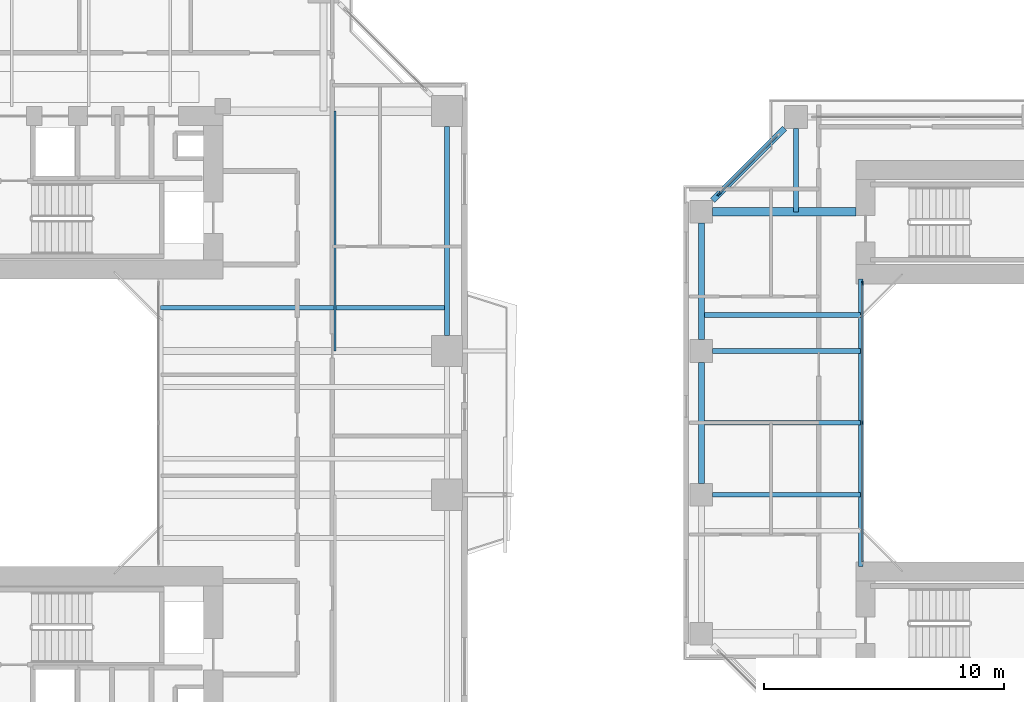
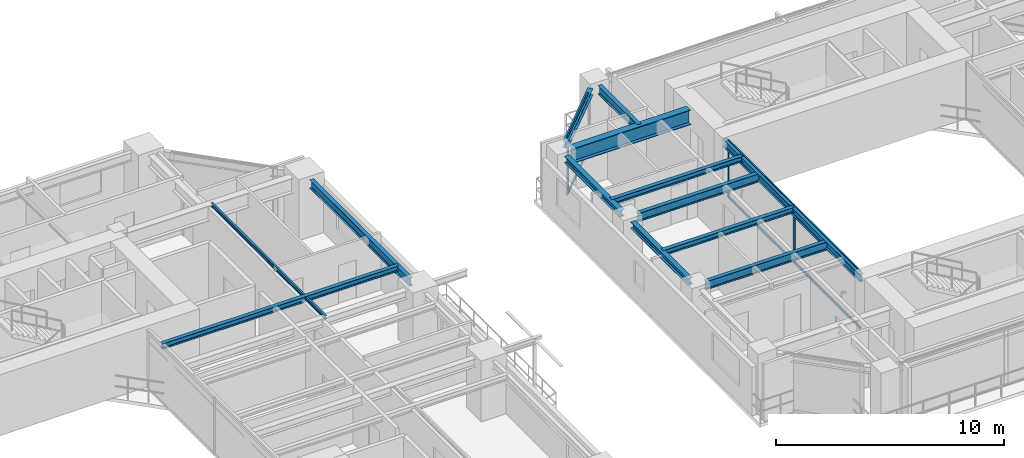
# One storey, part 8 of 24: 13 beams, 9 members, 2 elements without a shape of their own.
"""IFC4 building model written with IfcOpenShell, lengths in metres."""

from ifc_helpers import new_model, si_unit, direction, frame, origin, origin_2d, place, context, subcontext, project, spatial, rectangle, i_section, extrude, source, transform, mapped, material, layer, layer_set, material_profile, profile_set, type_object, element, aggregate, save


model = new_model("IFC4")

# Units and contexts
model_context = context("Model", 3, precision=1e-05, world=origin(), true_north=direction((0.0, 1.0)))
body_context = subcontext(model_context, "Body", "Model", "MODEL_VIEW")
ifc_project = project(units=[si_unit("LENGTHUNIT", "METRE"), si_unit("AREAUNIT", "SQUARE_METRE"), si_unit("VOLUMEUNIT", "CUBIC_METRE"), si_unit("PLANEANGLEUNIT", "RADIAN"), si_unit("MASSUNIT", "GRAM", prefix="KILO"), si_unit("THERMODYNAMICTEMPERATUREUNIT", "KELVIN"), si_unit("POWERUNIT", "WATT")], contexts=[model_context])

# Site, building, storey
site_placement = place(None, origin())
site = spatial("IfcSite", under=ifc_project, at=site_placement, CompositionType="ELEMENT")
building_placement = place(site_placement, origin())
building = spatial("IfcBuilding", under=site, at=building_placement, Name="Qiaomeng Ring Towers", CompositionType="ELEMENT")
storey_placement = place(building_placement, frame((0.0, 0.0, 63.25)))
storey = spatial("IfcBuildingStorey", under=building, at=storey_placement, Name="L17", CompositionType="ELEMENT", Elevation=63.25)

# Beams
ifc_material_1 = material(Name="Steel Q355B", Category="steel")
ifc_material_profile_1 = material_profile(ifc_material_1, i_section(OverallWidth=0.199951171875, OverallDepth=0.449951171875, WebThickness=0.009033203125, FlangeThickness=0.013916015625, FilletRadius=0.01806640625, at=origin_2d()), Name="HN 450x200x9x14")
ifc_profile_set_1 = profile_set([ifc_material_profile_1], Name="Steel Q355B")
beam_type_1 = type_object("IfcBeamType", Name="STR-BM-HN450", PredefinedType="SPANDREL", material=ifc_profile_set_1)
shared_shape_1 = source(origin(), body_context, "Body", "SweptSolid", [
    extrude(i_section(OverallWidth=0.199951171875, OverallDepth=0.449951171875, WebThickness=0.009033203125, FlangeThickness=0.013916015625, FilletRadius=0.01806640625, at=origin_2d()), origin(), (0.0, 0.0, 1.0), 8.7021484375),
])
beam_1_placement = place(storey_placement, frame((37.14990234375, 26.64892578125, 2.844970703125), z_axis=(0.0, 1.0, 0.0), x_axis=(-1.0, 0.0, 0.0)))
element("IfcBeam", 1, at=beam_1_placement, inside=storey, type_object=beam_type_1, Name="L17 beam STR-SP-L17-T1-E3-E4", PredefinedType="SPANDREL", context=body_context, shape_type="MappedRepresentation", body=[
    mapped(shared_shape_1, transform((0.0, 0.0, 0.0), x_axis=(1.0, 0.0, 0.0), y_axis=(0.0, 1.0, 0.0), z_axis=(0.0, 0.0, 1.0), scale=1.0)),
])
ifc_material_profile_2 = material_profile(ifc_material_1, i_section(OverallWidth=0.199951171875, OverallDepth=0.2939453125, WebThickness=0.008056640625, FlangeThickness=0.011962890625, FilletRadius=0.01806640625, at=origin_2d()), Name="HM 294x200x8x12")
ifc_profile_set_2 = profile_set([ifc_material_profile_2], Name="Steel Q355B")
beam_type_2 = type_object("IfcBeamType", Name="STR-BM-HM294", PredefinedType="JOIST", material=ifc_profile_set_2)
shared_shape_2 = source(origin(), body_context, "Body", "SweptSolid", [
    extrude(i_section(OverallWidth=0.199951171875, OverallDepth=0.2939453125, WebThickness=0.008056640625, FlangeThickness=0.011962890625, FilletRadius=0.01806640625, at=origin_2d()), origin(), (0.0, 0.0, 1.0), 11.949951171875),
])
beam_2_placement = place(storey_placement, frame((25.199951171875, 27.800048828125, 2.923095703125), z_axis=(1.0, 0.0, 0.0), x_axis=(0.0, 1.0, 0.0)))
element("IfcBeam", 2, at=beam_2_placement, inside=storey, type_object=beam_type_2, Name="L17 beam STR-JST-L17-T1E-4", PredefinedType="JOIST", context=body_context, shape_type="MappedRepresentation", body=[
    mapped(shared_shape_2, transform((0.0, 0.0, 0.0), x_axis=(1.0, 0.0, 0.0), y_axis=(0.0, 1.0, 0.0), z_axis=(0.0, 0.0, 1.0), scale=1.0)),
])
ifc_material_profile_3 = material_profile(ifc_material_1, i_section(OverallWidth=0.10009765625, OverallDepth=0.199951171875, WebThickness=0.005615234375, FlangeThickness=0.008056640625, FilletRadius=0.010986328125, at=origin_2d()), Name="HN 200x100x5.5x8")
ifc_profile_set_3 = profile_set([ifc_material_profile_3], Name="Steel Q355B")
beam_type_3 = type_object("IfcBeamType", Name="STR-BM-HN200", PredefinedType="JOIST", material=ifc_profile_set_3)
shared_shape_3 = source(origin(), body_context, "Body", "SweptSolid", [
    extrude(i_section(OverallWidth=0.10009765625, OverallDepth=0.199951171875, WebThickness=0.005615234375, FlangeThickness=0.008056640625, FilletRadius=0.010986328125, at=origin_2d()), origin(), (0.0, 0.0, 1.0), 10.0),
])
beam_3_placement = place(storey_placement, frame((32.47509765625, 26.0, 2.969970703125), z_axis=(0.0, 1.0, 0.0), x_axis=(-1.0, 0.0, 0.0)))
element("IfcBeam", 3, at=beam_3_placement, inside=storey, type_object=beam_type_3, Name="L17 beam STR-JST-L17-T1C-EN", PredefinedType="JOIST", context=body_context, shape_type="MappedRepresentation", body=[
    mapped(shared_shape_3, transform((0.0, 0.0, 0.0), x_axis=(1.0, 0.0, 0.0), y_axis=(0.0, 1.0, 0.0), z_axis=(0.0, 0.0, 1.0), scale=1.0)),
])
ifc_material_profile_4 = material_profile(ifc_material_1, i_section(OverallWidth=0.25, OverallDepth=0.340087890625, WebThickness=0.009033203125, FlangeThickness=0.013916015625, FilletRadius=0.02001953125, at=origin_2d()), Name="HM 340x250x9x14")
ifc_profile_set_4 = profile_set([ifc_material_profile_4], Name="Steel Q355B")
beam_type_4 = type_object("IfcBeamType", Name="STR-BM-HM340", PredefinedType="SPANDREL", material=ifc_profile_set_4)
shared_shape_4 = source(origin(), body_context, "Body", "SweptSolid", [
    extrude(i_section(OverallWidth=0.25, OverallDepth=0.340087890625, WebThickness=0.009033203125, FlangeThickness=0.013916015625, FilletRadius=0.02001953125, at=origin_2d()), origin(), (0.0, 0.0, 1.0), 4.244384765625),
])
beam_4_placement = place(storey_placement, frame((51.2255859375, 35.275634765625, 2.89990234375), z_axis=(-0.707106781187, -0.707106781187, 0.0), x_axis=(0.707106781187, -0.707106781187, 0.0)))
element("IfcBeam", 4, at=beam_4_placement, inside=storey, type_object=beam_type_4, Name="L17 beam STR-SP-L17-T2-N1-W4", PredefinedType="SPANDREL", context=body_context, shape_type="MappedRepresentation", body=[
    mapped(shared_shape_4, transform((0.0, 0.0, 0.0), x_axis=(1.0, 0.0, 0.0), y_axis=(0.0, 1.0, 0.0), z_axis=(0.0, 0.0, 1.0), scale=1.0)),
])
shared_shape_5 = source(origin(), body_context, "Body", "SweptSolid", [
    extrude(i_section(OverallWidth=0.25, OverallDepth=0.340087890625, WebThickness=0.009033203125, FlangeThickness=0.013916015625, FilletRadius=0.02001953125, at=origin_2d()), origin(), (0.0, 0.0, 1.0), 4.851806640625),
])
beam_5_placement = place(storey_placement, frame((47.75, 31.325927734375, 2.89990234375), z_axis=(0.0, -1.0, 0.0), x_axis=(1.0, 0.0, 0.0)))
element("IfcBeam", 5, at=beam_5_placement, inside=storey, type_object=beam_type_4, Name="L17 beam STR-SP-L17-T2-W4-W3", PredefinedType="SPANDREL", context=body_context, shape_type="MappedRepresentation", body=[
    mapped(shared_shape_5, transform((0.0, 0.0, 0.0), x_axis=(1.0, 0.0, 0.0), y_axis=(0.0, 1.0, 0.0), z_axis=(0.0, 0.0, 1.0), scale=1.0)),
])
shared_shape_6 = source(origin(), body_context, "Body", "SweptSolid", [
    extrude(i_section(OverallWidth=0.25, OverallDepth=0.340087890625, WebThickness=0.009033203125, FlangeThickness=0.013916015625, FilletRadius=0.02001953125, at=origin_2d()), origin(), (0.0, 0.0, 1.0), 5.0517578125),
])
beam_6_placement = place(storey_placement, frame((47.75, 25.52587890625, 2.89990234375), z_axis=(0.0, -1.0, 0.0), x_axis=(1.0, 0.0, 0.0)))
element("IfcBeam", 6, at=beam_6_placement, inside=storey, type_object=beam_type_4, Name="L17 beam STR-SP-L17-T2-W3-W2", PredefinedType="SPANDREL", context=body_context, shape_type="MappedRepresentation", body=[
    mapped(shared_shape_6, transform((0.0, 0.0, 0.0), x_axis=(1.0, 0.0, 0.0), y_axis=(0.0, 1.0, 0.0), z_axis=(0.0, 0.0, 1.0), scale=1.0)),
])
ifc_material_profile_5 = material_profile(ifc_material_1, i_section(OverallWidth=0.199951171875, OverallDepth=0.39990234375, WebThickness=0.008056640625, FlangeThickness=0.012939453125, FilletRadius=0.01611328125, at=origin_2d()), Name="HN 400x200x8x13")
ifc_profile_set_5 = profile_set([ifc_material_profile_5], Name="Steel Q355B")
beam_type_5 = type_object("IfcBeamType", Name="STR-BM-HN400", PredefinedType="SPANDREL", material=ifc_profile_set_5)
shared_shape_7 = source(origin(), body_context, "Body", "SweptSolid", [
    extrude(i_section(OverallWidth=0.199951171875, OverallDepth=0.39990234375, WebThickness=0.008056640625, FlangeThickness=0.012939453125, FilletRadius=0.01611328125, at=origin_2d()), origin(), (0.0, 0.0, 1.0), 12.0),
])
beam_7_placement = place(storey_placement, frame((54.39990234375, 17.0, 2.8701171875), z_axis=(0.0, 1.0, 0.0), x_axis=(-1.0, 0.0, 0.0)))
element("IfcBeam", 7, at=beam_7_placement, inside=storey, type_object=beam_type_5, Name="L17 beam STR-BM-L17-T2-WELL-W", PredefinedType="SPANDREL", context=body_context, shape_type="MappedRepresentation", body=[
    mapped(shared_shape_7, transform((0.0, 0.0, 0.0), x_axis=(1.0, 0.0, 0.0), y_axis=(0.0, 1.0, 0.0), z_axis=(0.0, 0.0, 1.0), scale=1.0)),
])
ifc_material_2 = material(Name="Steel Q390GJC", Category="steel")
ifc_material_profile_6 = material_profile(ifc_material_2, i_section(OverallWidth=0.35009765625, OverallDepth=0.800048828125, WebThickness=0.01611328125, FlangeThickness=0.028076171875, at=origin_2d()), Name="WH 800x350x16x28")
ifc_profile_set_6 = profile_set([ifc_material_profile_6], Name="Steel Q390GJC")
beam_type_6 = type_object("IfcBeamType", Name="STR-BM-WH800", PredefinedType="BEAM", material=ifc_profile_set_6)
shared_shape_8 = source(origin(), body_context, "Body", "SweptSolid", [
    extrude(i_section(OverallWidth=0.35009765625, OverallDepth=0.800048828125, WebThickness=0.01611328125, FlangeThickness=0.028076171875, at=origin_2d()), origin(), (0.0, 0.0, 1.0), 5.975830078125),
])
beam_8_placement = place(storey_placement, frame((48.22412109375, 31.800048828125, 2.669921875), z_axis=(1.0, 0.0, 0.0), x_axis=(0.0, 1.0, 0.0)))
element("IfcBeam", 8, at=beam_8_placement, inside=storey, type_object=beam_type_6, Name="L17 beam STR-BM-L17-T2-RAD-W4", PredefinedType="BEAM", context=body_context, shape_type="MappedRepresentation", body=[
    mapped(shared_shape_8, transform((0.0, 0.0, 0.0), x_axis=(1.0, 0.0, 0.0), y_axis=(0.0, 1.0, 0.0), z_axis=(0.0, 0.0, 1.0), scale=1.0)),
])
shared_shape_9 = source(origin(), body_context, "Body", "SweptSolid", [
    extrude(i_section(OverallWidth=0.199951171875, OverallDepth=0.449951171875, WebThickness=0.009033203125, FlangeThickness=0.013916015625, FilletRadius=0.01806640625, at=origin_2d()), origin(), (0.0, 0.0, 1.0), 6.17578125),
])
for number, where, z_axis, x_axis, name in (
    (9, (48.22412109375, 20.0, 2.844970703125), (1.0, 0.0, 0.0), (0.0, 1.0, 0.0), "L17 beam STR-BM-L17-T2-RAD-W2"),
    (10, (48.22412109375, 26.0, 2.844970703125), (1.0, 0.0, 0.0), (0.0, 1.0, 0.0), "L17 beam STR-BM-L17-T2-RAD-W3"),
):
    element("IfcBeam", number, at=place(storey_placement, frame(where, z_axis=z_axis, x_axis=x_axis)), inside=storey, type_object=beam_type_1, Name=name, PredefinedType="SPANDREL", context=body_context, shape_type="MappedRepresentation", body=[
        mapped(shared_shape_9, transform((0.0, 0.0, 0.0), x_axis=(1.0, 0.0, 0.0), y_axis=(0.0, 1.0, 0.0), z_axis=(0.0, 0.0, 1.0), scale=1.0)),
    ])
shared_shape_10 = source(origin(), body_context, "Body", "SweptSolid", [
    extrude(i_section(OverallWidth=0.199951171875, OverallDepth=0.449951171875, WebThickness=0.009033203125, FlangeThickness=0.013916015625, FilletRadius=0.01806640625, at=origin_2d()), origin(), (0.0, 0.0, 1.0), 3.475830078125),
])
beam_9_placement = place(storey_placement, frame((51.699951171875, 35.27587890625, 2.844970703125), z_axis=(0.0, -1.0, 0.0), x_axis=(1.0, 0.0, 0.0)))
element("IfcBeam", 11, at=beam_9_placement, inside=storey, type_object=beam_type_1, Name="L17 beam STR-BM-L17-T2-RAD-N1", PredefinedType="SPANDREL", context=body_context, shape_type="MappedRepresentation", body=[
    mapped(shared_shape_10, transform((0.0, 0.0, 0.0), x_axis=(1.0, 0.0, 0.0), y_axis=(0.0, 1.0, 0.0), z_axis=(0.0, 0.0, 1.0), scale=1.0)),
])
shared_shape_11 = source(origin(), body_context, "Body", "SweptSolid", [
    extrude(i_section(OverallWidth=0.199951171875, OverallDepth=0.2939453125, WebThickness=0.008056640625, FlangeThickness=0.011962890625, FilletRadius=0.01806640625, at=origin_2d()), origin(), (0.0, 0.0, 1.0), 6.64990234375),
])
for number, where, z_axis, x_axis, name in (
    (12, (47.75, 23.0, 2.923095703125), (1.0, 0.0, 0.0), (0.0, 1.0, 0.0), "L17 beam STR-JST-L17-T2W-2"),
    (13, (47.75, 27.5, 2.923095703125), (1.0, 0.0, 0.0), (0.0, 1.0, 0.0), "L17 beam STR-JST-L17-T2W-3"),
):
    element("IfcBeam", number, at=place(storey_placement, frame(where, z_axis=z_axis, x_axis=x_axis)), inside=storey, type_object=beam_type_2, Name=name, PredefinedType="JOIST", context=body_context, shape_type="MappedRepresentation", body=[
        mapped(shared_shape_11, transform((0.0, 0.0, 0.0), x_axis=(1.0, 0.0, 0.0), y_axis=(0.0, 1.0, 0.0), z_axis=(0.0, 0.0, 1.0), scale=1.0)),
    ])

# Curtain wall, members
ifc_material_3 = material(Name="Fluorocarbon dark-grey aluminium", Category="aluminium")
ifc_layer_1 = layer(ifc_material_3, 0.139892578125, Name="Fluorocarbon dark-grey aluminium")
ifc_layer_set_1 = layer_set([ifc_layer_1], Name="Fluorocarbon dark-grey aluminium")
curtain_wall_type_1 = type_object("IfcCurtainWallType", Name="ARC-CW-4", PredefinedType="NOTDEFINED", material=ifc_layer_set_1)
curtain_wall_1_placement = place(storey_placement, origin())
curtain_wall_1 = element("IfcCurtainWall", 14, at=curtain_wall_1_placement, inside=storey, type_object=curtain_wall_type_1, Name="L17 Curtain Wall CW4", PredefinedType="NOTDEFINED")
ifc_material_profile_7 = material_profile(ifc_material_3, rectangle(XDim=0.06494140625, YDim=0.159912109375, at=origin_2d()), Name="ALU MULL 65x160")
ifc_profile_set_7 = profile_set([ifc_material_profile_7], Name="Fluorocarbon dark-grey aluminium")
member_type_1 = type_object("IfcMemberType", Name="ARC-CWM-140", PredefinedType="MULLION", material=ifc_profile_set_7)
shared_shape_12 = source(origin(), body_context, "Body", "SweptSolid", [
    extrude(rectangle(XDim=0.06494140625, YDim=0.159912109375, at=origin_2d()), origin(), (0.0, 0.0, 1.0), 3.070068359375),
])
member_1_placement = place(storey_placement, frame((54.47998046875, 23.0, 0.0), z_axis=(0.0, 0.0, 1.0), x_axis=(-1.0, 0.0, 0.0)))
member_1 = element("IfcMember", 15, at=member_1_placement, type_object=member_type_1, Name="CW4 mullion 2", PredefinedType="MULLION", context=body_context, shape_type="MappedRepresentation", body=[
    mapped(shared_shape_12, transform((0.0, 0.0, 0.0), x_axis=(1.0, 0.0, 0.0), y_axis=(0.0, 1.0, 0.0), z_axis=(0.0, 0.0, 1.0), scale=1.0)),
])
member_2_placement = place(storey_placement, frame((54.47998046875, 28.8173828125, 0.0), z_axis=(0.0, 0.0, 1.0), x_axis=(-1.0, 0.0, 0.0)))
member_2 = element("IfcMember", 16, at=member_2_placement, type_object=member_type_1, Name="CW4 mullion 3", PredefinedType="MULLION", context=body_context, shape_type="MappedRepresentation", body=[
    mapped(shared_shape_12, transform((0.0, 0.0, 0.0), x_axis=(1.0, 0.0, 0.0), y_axis=(0.0, 1.0, 0.0), z_axis=(0.0, 0.0, 1.0), scale=1.0)),
])
ifc_material_profile_8 = material_profile(ifc_material_3, rectangle(XDim=0.06494140625, YDim=0.1298828125, at=origin_2d()), Name="ALU TRAN 65x130")
ifc_profile_set_8 = profile_set([ifc_material_profile_8], Name="Fluorocarbon dark-grey aluminium")
member_type_2 = type_object("IfcMemberType", Name="ARC-CWT-120", PredefinedType="USERDEFINED", material=ifc_profile_set_8)
shared_shape_13 = source(origin(), body_context, "Body", "SweptSolid", [
    extrude(rectangle(XDim=0.06494140625, YDim=0.1298828125, at=origin_2d()), origin(), (0.0, 0.0, 1.0), 5.75244140625),
])
member_3_placement = place(storey_placement, frame((54.47998046875, 17.215087890625, 0.032470703125), z_axis=(0.0, 1.0, 0.0), x_axis=(-1.0, 0.0, 0.0)))
member_3 = element("IfcMember", 17, at=member_3_placement, type_object=member_type_2, Name="CW4 transom 1.1", ObjectType="TRANSOM", PredefinedType="USERDEFINED", context=body_context, shape_type="MappedRepresentation", body=[
    mapped(shared_shape_13, transform((0.0, 0.0, 0.0), x_axis=(1.0, 0.0, 0.0), y_axis=(0.0, 1.0, 0.0), z_axis=(0.0, 0.0, 1.0), scale=1.0)),
])
member_4_placement = place(storey_placement, frame((54.47998046875, 17.215087890625, 3.03759765625), z_axis=(0.0, 1.0, 0.0), x_axis=(-1.0, 0.0, 0.0)))
member_4 = element("IfcMember", 18, at=member_4_placement, type_object=member_type_2, Name="CW4 transom 1.2", ObjectType="TRANSOM", PredefinedType="USERDEFINED", context=body_context, shape_type="MappedRepresentation", body=[
    mapped(shared_shape_13, transform((0.0, 0.0, 0.0), x_axis=(1.0, 0.0, 0.0), y_axis=(0.0, 1.0, 0.0), z_axis=(0.0, 0.0, 1.0), scale=1.0)),
])
member_5_placement = place(storey_placement, frame((54.47998046875, 23.032470703125, 0.032470703125), z_axis=(0.0, 1.0, 0.0), x_axis=(-1.0, 0.0, 0.0)))
member_5 = element("IfcMember", 19, at=member_5_placement, type_object=member_type_2, Name="CW4 transom 2.1", ObjectType="TRANSOM", PredefinedType="USERDEFINED", context=body_context, shape_type="MappedRepresentation", body=[
    mapped(shared_shape_13, transform((0.0, 0.0, 0.0), x_axis=(1.0, 0.0, 0.0), y_axis=(0.0, 1.0, 0.0), z_axis=(0.0, 0.0, 1.0), scale=1.0)),
])
member_6_placement = place(storey_placement, frame((54.47998046875, 23.032470703125, 3.03759765625), z_axis=(0.0, 1.0, 0.0), x_axis=(-1.0, 0.0, 0.0)))
member_6 = element("IfcMember", 20, at=member_6_placement, type_object=member_type_2, Name="CW4 transom 2.2", ObjectType="TRANSOM", PredefinedType="USERDEFINED", context=body_context, shape_type="MappedRepresentation", body=[
    mapped(shared_shape_13, transform((0.0, 0.0, 0.0), x_axis=(1.0, 0.0, 0.0), y_axis=(0.0, 1.0, 0.0), z_axis=(0.0, 0.0, 1.0), scale=1.0)),
])
aggregate(curtain_wall_1, [member_1, member_2, member_3, member_4, member_5, member_6])

ifc_layer_2 = layer(ifc_material_3, 0.14990234375, Name="Fluorocarbon dark-grey aluminium")
ifc_layer_set_2 = layer_set([ifc_layer_2], Name="Fluorocarbon dark-grey aluminium")
curtain_wall_type_2 = type_object("IfcCurtainWallType", Name="ARC-CW-5", PredefinedType="NOTDEFINED", material=ifc_layer_set_2)
curtain_wall_2_placement = place(storey_placement, origin())
curtain_wall_2 = element("IfcCurtainWall", 21, at=curtain_wall_2_placement, inside=storey, type_object=curtain_wall_type_2, Name="L17 Curtain Wall CW5", PredefinedType="NOTDEFINED")
ifc_material_profile_9 = material_profile(ifc_material_3, rectangle(XDim=0.070068359375, YDim=0.179931640625, at=origin_2d()), Name="ALU MULL 70x180")
ifc_profile_set_9 = profile_set([ifc_material_profile_9], Name="Fluorocarbon dark-grey aluminium")
member_type_3 = type_object("IfcMemberType", Name="ARC-CWM-160", PredefinedType="MULLION", material=ifc_profile_set_9)
shared_shape_14 = source(origin(), body_context, "Body", "SweptSolid", [
    extrude(rectangle(XDim=0.070068359375, YDim=0.179931640625, at=origin_2d()), origin(), (0.0, 0.0, 1.0), 3.070068359375),
])
member_7_placement = place(storey_placement, frame((48.48974609375, 32.539794921875, 0.0), z_axis=(0.0, 0.0, 1.0), x_axis=(0.707106781187, -0.707106781187, 0.0)))
member_7 = element("IfcMember", 22, at=member_7_placement, type_object=member_type_3, Name="CW5 mullion 2", PredefinedType="MULLION", context=body_context, shape_type="MappedRepresentation", body=[
    mapped(shared_shape_14, transform((0.0, 0.0, 0.0), x_axis=(1.0, 0.0, 0.0), y_axis=(0.0, 1.0, 0.0), z_axis=(0.0, 0.0, 1.0), scale=1.0)),
])
shared_shape_15 = source(origin(), body_context, "Body", "SweptSolid", [
    extrude(rectangle(XDim=0.06494140625, YDim=0.1298828125, at=origin_2d()), origin(), (0.0, 0.0, 1.0), 3.424072265625),
])
member_8_placement = place(storey_placement, frame((50.935546875, 34.985595703125, 0.032470703125), z_axis=(-0.707106781187, -0.707106781187, 0.0), x_axis=(0.707106781187, -0.707106781187, 0.0)))
member_8 = element("IfcMember", 23, at=member_8_placement, type_object=member_type_2, Name="CW5 transom 1.1", ObjectType="TRANSOM", PredefinedType="USERDEFINED", context=body_context, shape_type="MappedRepresentation", body=[
    mapped(shared_shape_15, transform((0.0, 0.0, 0.0), x_axis=(1.0, 0.0, 0.0), y_axis=(0.0, 1.0, 0.0), z_axis=(0.0, 0.0, 1.0), scale=1.0)),
])
member_9_placement = place(storey_placement, frame((50.935546875, 34.985595703125, 3.03759765625), z_axis=(-0.707106781187, -0.707106781187, 0.0), x_axis=(0.707106781187, -0.707106781187, 0.0)))
member_9 = element("IfcMember", 24, at=member_9_placement, type_object=member_type_2, Name="CW5 transom 1.2", ObjectType="TRANSOM", PredefinedType="USERDEFINED", context=body_context, shape_type="MappedRepresentation", body=[
    mapped(shared_shape_15, transform((0.0, 0.0, 0.0), x_axis=(1.0, 0.0, 0.0), y_axis=(0.0, 1.0, 0.0), z_axis=(0.0, 0.0, 1.0), scale=1.0)),
])
aggregate(curtain_wall_2, [member_7, member_8, member_9])

save(model, "model.ifc")
